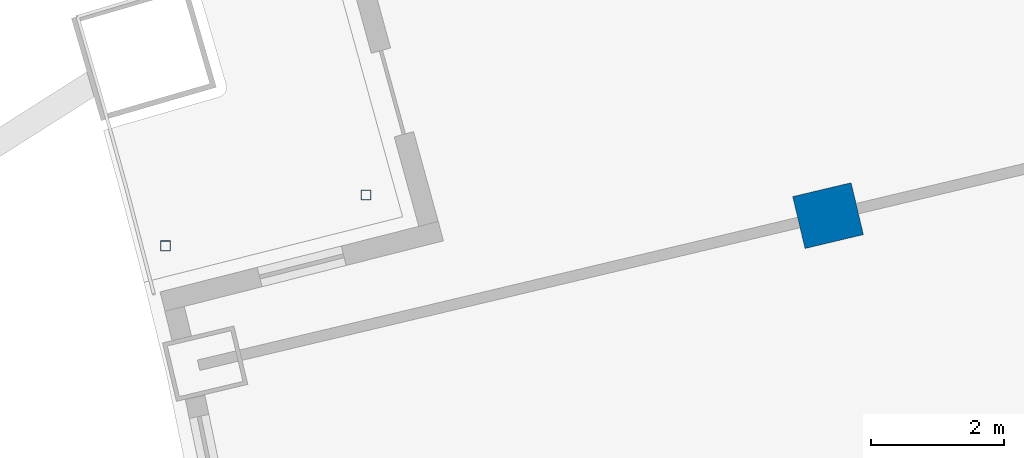
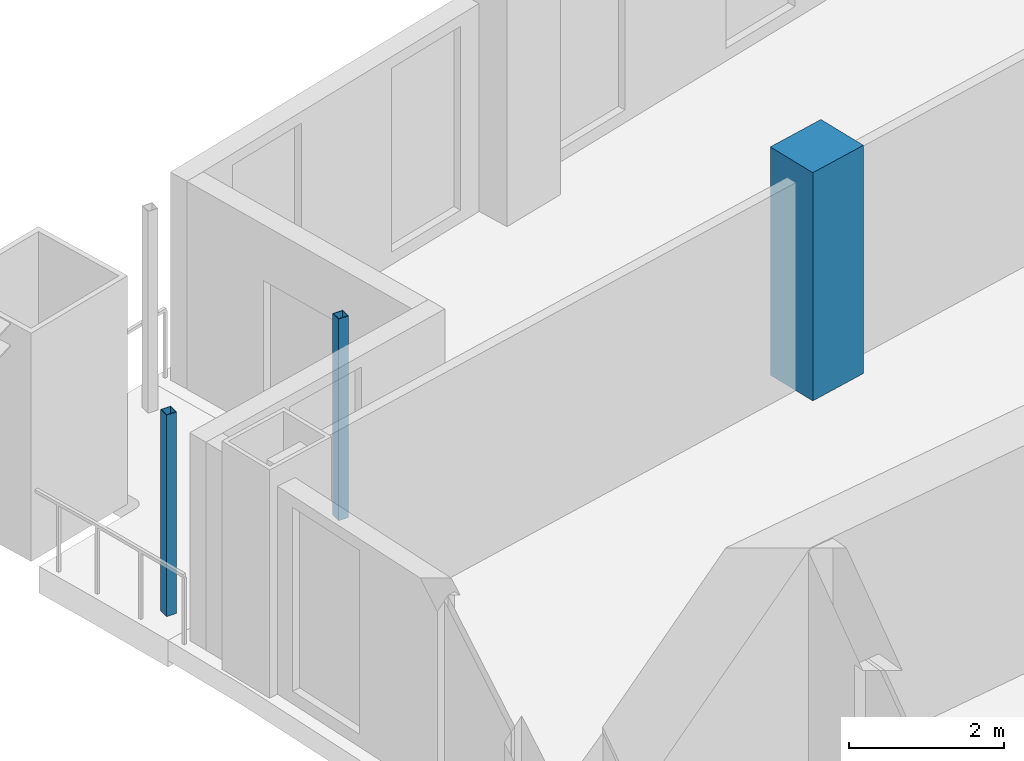
# One storey, part 5 of 19: 3 columns.
"""IFC4 building model written with IfcOpenShell, lengths in metres."""

from ifc_helpers import new_model, si_unit, direction, frame, origin, origin_2d, place, context, subcontext, project, spatial, rectangle, hollow_rectangle, extrude, material, material_profile, profile_set, type_object, element, save


model = new_model("IFC4")

# Units and contexts
model_context = context("Model", 3, precision=1e-05, world=origin(), true_north=direction((0.0, 1.0)))
body_context = subcontext(model_context, "Body", "Model", "MODEL_VIEW")
ifc_project = project(units=[si_unit("LENGTHUNIT", "METRE"), si_unit("AREAUNIT", "SQUARE_METRE"), si_unit("VOLUMEUNIT", "CUBIC_METRE"), si_unit("PLANEANGLEUNIT", "RADIAN"), si_unit("MASSUNIT", "GRAM", prefix="KILO")], contexts=[model_context])

# Site, building, storey
site_placement = place(None, origin())
site = spatial("IfcSite", under=ifc_project, at=site_placement, CompositionType="ELEMENT")
building_placement = place(site_placement, origin())
building = spatial("IfcBuilding", under=site, at=building_placement, Name="Alderwake Tower", CompositionType="ELEMENT")
storey_placement = place(building_placement, frame((0.0, 0.0, 174.800048828125)))
storey = spatial("IfcBuildingStorey", under=building, at=storey_placement, Name="L43", CompositionType="ELEMENT", Elevation=174.800048828125)

# Columns
ifc_material_1 = material(Name="Concrete C70/85", Category="concrete")
ifc_material_profile_1 = material_profile(ifc_material_1, rectangle(XDim=0.800048828125, YDim=0.89990234375, at=origin_2d()), Name="RC 900X800")
ifc_profile_set_1 = profile_set([ifc_material_profile_1], Name="Concrete C70/85")
column_type_1 = type_object("IfcColumnType", Name="Interior column Z3", PredefinedType="COLUMN", material=ifc_profile_set_1)
column_placement = place(storey_placement, frame((23.322021484375, 85.555908203125, 0.0), z_axis=(0.0, 0.0, 1.0), x_axis=(-0.231221547198, 0.972901123502, 0.0)))
element("IfcColumn", 1, at=column_placement, inside=storey, type_object=column_type_1, Name="Column R11-C1", PredefinedType="COLUMN", context=body_context, shape_type="SweptSolid", body=[
    extrude(rectangle(XDim=0.800048828125, YDim=0.89990234375, at=origin_2d()), origin(), (0.0, 0.0, 1.0), 3.599853515625),
])
ifc_material_2 = material(Name="Steel ASTM A500 Grade C", Category="steel")
ifc_material_profile_2 = material_profile(ifc_material_2, hollow_rectangle(XDim=0.15234375, YDim=0.15234375, WallThickness=0.0087890625, at=origin_2d()), Name="HSS6X6X3/8")
ifc_profile_set_2 = profile_set([ifc_material_profile_2], Name="Steel ASTM A500 Grade C")
column_type_2 = type_object("IfcColumnType", Name="Light post HSS6X6X3/8", PredefinedType="COLUMN", material=ifc_profile_set_2)
for number, where, z_axis, x_axis, name in (
    (2, (13.3896484375, 85.103515625, 0.0), (0.0, 0.0, 1.0), (1.0, 0.0, 0.0), "Terrace post RN1"),
    (3, (16.39501953125, 85.864013671875, 0.0), (0.0, 0.0, 1.0), (1.0, 0.0, 0.0), "Terrace post RN3"),
):
    element("IfcColumn", number, at=place(storey_placement, frame(where, z_axis=z_axis, x_axis=x_axis)), inside=storey, type_object=column_type_2, Name=name, PredefinedType="COLUMN", context=body_context, shape_type="SweptSolid", body=[
        extrude(hollow_rectangle(XDim=0.15234375, YDim=0.15234375, WallThickness=0.0087890625, at=origin_2d()), origin(), (0.0, 0.0, 1.0), 3.179931640625),
    ])

save(model, "model.ifc")
